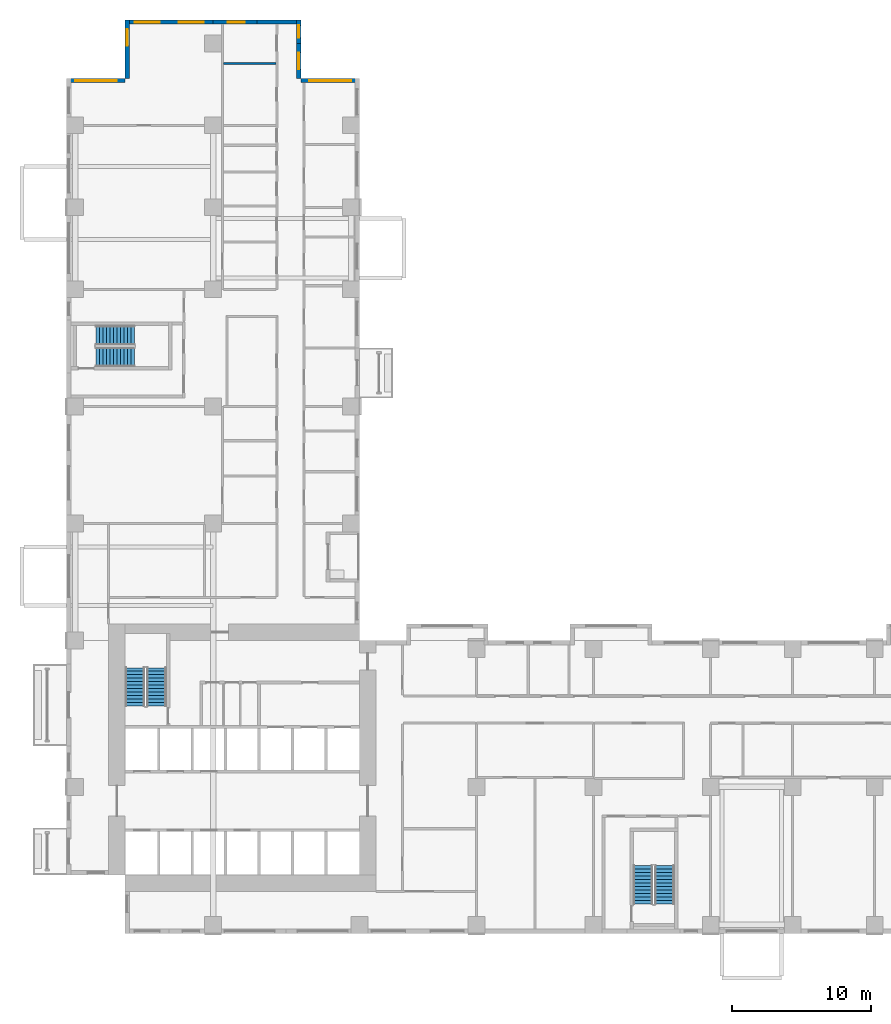
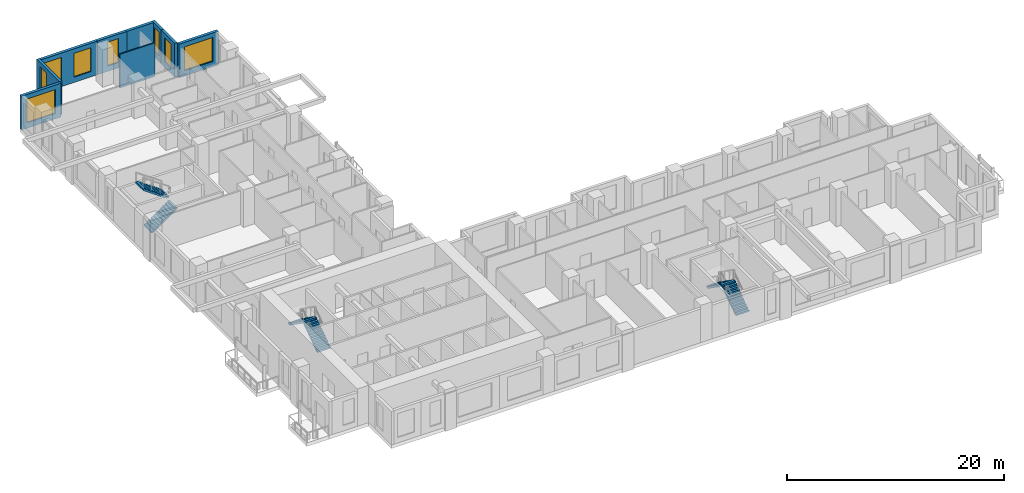
# One storey, part 9 of 14: 9 walls, 8 windows, 6 stair flights, 8 openings, 3 elements without a shape of their own.
"""IFC4 building model written with IfcOpenShell, lengths in metres."""

from ifc_helpers import new_model, si_unit, direction, frame, frame_2d, origin, place, context, subcontext, project, spatial, polyline, rectangle, outline, extrude, source, transform, mapped, material, layer, layer_set, type_object, element, fill, aggregate, save


model = new_model("IFC4")

# Units and contexts
model_context = context("Model", 3, precision=1e-05, world=origin(), true_north=direction((0.0, 1.0)))
body_context = subcontext(model_context, "Body", "Model", "MODEL_VIEW")
ifc_project = project(units=[si_unit("LENGTHUNIT", "METRE"), si_unit("AREAUNIT", "SQUARE_METRE"), si_unit("VOLUMEUNIT", "CUBIC_METRE"), si_unit("PLANEANGLEUNIT", "RADIAN"), si_unit("MASSUNIT", "GRAM", prefix="KILO")], contexts=[model_context])

# Site, building, storey
site_placement = place(None, origin())
site = spatial("IfcSite", under=ifc_project, at=site_placement, CompositionType="ELEMENT")
building_placement = place(site_placement, origin())
building = spatial("IfcBuilding", under=site, at=building_placement, Name="Aurelian Terraces", CompositionType="ELEMENT")
storey_placement = place(building_placement, frame((0.0, 0.0, 40.5)))
storey = spatial("IfcBuildingStorey", under=building, at=storey_placement, Name="L07", CompositionType="ELEMENT", Elevation=40.5)

# Wall
ifc_material_1 = material(Name="Terracotta rainscreen cladding", Category="masonry")
ifc_layer_1 = layer(ifc_material_1, 0.3)
ifc_layer_set_1 = layer_set([ifc_layer_1], Name="EW-300")
wall_type_1 = type_object("IfcWallType", Name="EW-300", PredefinedType="STANDARD", material=ifc_layer_set_1)
shared_shape_1 = source(origin(), body_context, "Body", "SweptSolid", [
    extrude(rectangle(XDim=3.15, YDim=0.3, at=frame_2d((1.575, 0.0))), origin(), (0.0, 0.0, 1.0), 3.8),
])
wall_1_placement = place(storey_placement, frame((16.8, 65.37, 0.0), z_axis=(0.0, 0.0, 1.0), x_axis=(-1.0, 0.0, 0.0)))
element("IfcWall", 1, at=wall_1_placement, inside=storey, type_object=wall_type_1, Name="External wall L07 F11.39", PredefinedType="STANDARD", context=body_context, shape_type="MappedRepresentation", body=[
    mapped(shared_shape_1, transform((0.0, 0.0, 0.0), scale=1.0)),
])

# Wall, opening, window
wall_2_placement = place(storey_placement, frame((13.65, 65.37, 0.0), z_axis=(0.0, 0.0, 1.0), x_axis=(-1.0, 0.0, 0.0)))
wall_2 = element("IfcWall", 2, at=wall_2_placement, inside=storey, type_object=wall_type_1, Name="External wall L07 F11.40", PredefinedType="STANDARD", context=body_context, shape_type="MappedRepresentation", body=[
    mapped(shared_shape_1, transform((0.0, 0.0, 0.0), scale=1.0)),
])
shared_shape_2 = source(origin(), body_context, "Body", "SweptSolid", [
    extrude(rectangle(XDim=1.2, YDim=2.7, at=frame_2d((0.6, 1.35))), frame((0.0, 0.16, 0.0), z_axis=(0.0, -1.0, 0.0), x_axis=(1.0, 0.0, 0.0)), (0.0, 0.0, 1.0), 0.32),
])
opening_1_placement = place(wall_2_placement, frame((0.8875, 0.0, 0.6)))
opening_1 = element("IfcOpeningElement", 3, at=opening_1_placement, cuts=wall_2, Name="Opening W1227", PredefinedType="OPENING", context=body_context, shape_type="MappedRepresentation", body=[
    mapped(shared_shape_2, transform((0.0, 0.0, 0.0), scale=1.0)),
])
ifc_material_2 = material(Name="Clear glazing", Category="glass")
window_type_1 = type_object("IfcWindowType", Name="W-1200x2700", PartitioningType="SINGLE_PANEL", PredefinedType="WINDOW", material=ifc_material_2)
shared_shape_3 = source(origin(), body_context, "Body", "SweptSolid", [
    extrude(rectangle(XDim=1.2, YDim=2.7, at=frame_2d((0.6, 1.35))), frame((0.0, 0.03, 0.0), z_axis=(0.0, -1.0, 0.0), x_axis=(1.0, 0.0, 0.0)), (0.0, 0.0, 1.0), 0.06),
])
window_1_placement = place(opening_1_placement, origin())
window_1 = element("IfcWindow", 4, at=window_1_placement, inside=storey, type_object=window_type_1, Name="Window L07 L07-F11-40-0", OverallHeight=2.7, OverallWidth=1.2, PartitioningType="SINGLE_PANEL", PredefinedType="WINDOW", context=body_context, shape_type="MappedRepresentation", body=[
    mapped(shared_shape_3, transform((0.0, 0.0, 0.0), scale=1.0)),
])
fill(opening_1, window_1)

shared_shape_4 = source(origin(), body_context, "Body", "SweptSolid", [
    extrude(rectangle(XDim=4.2, YDim=0.3, at=frame_2d((2.1, 0.0))), origin(), (0.0, 0.0, 1.0), 3.8),
])
wall_3_placement = place(storey_placement, frame((21.0, 61.17, 0.0), z_axis=(0.0, 0.0, 1.0), x_axis=(-1.0, 0.0, 0.0)))
wall_3 = element("IfcWall", 5, at=wall_3_placement, inside=storey, type_object=wall_type_1, Name="External wall L07 F09.36", PredefinedType="STANDARD", context=body_context, shape_type="MappedRepresentation", body=[
    mapped(shared_shape_4, transform((0.0, 0.0, 0.0), scale=1.0)),
])
shared_shape_5 = source(origin(), body_context, "Body", "SweptSolid", [
    extrude(rectangle(XDim=3.0, YDim=2.7, at=frame_2d((1.5, 1.35))), frame((0.0, 0.16, 0.0), z_axis=(0.0, -1.0, 0.0), x_axis=(1.0, 0.0, 0.0)), (0.0, 0.0, 1.0), 0.32),
])
opening_2_placement = place(wall_3_placement, frame((0.6, 0.0, 0.6)))
opening_2 = element("IfcOpeningElement", 6, at=opening_2_placement, cuts=wall_3, Name="Opening W3027", PredefinedType="OPENING", context=body_context, shape_type="MappedRepresentation", body=[
    mapped(shared_shape_5, transform((0.0, 0.0, 0.0), scale=1.0)),
])
window_type_2 = type_object("IfcWindowType", Name="W-3000x2700", PartitioningType="SINGLE_PANEL", PredefinedType="WINDOW", material=ifc_material_2)
shared_shape_6 = source(origin(), body_context, "Body", "SweptSolid", [
    extrude(rectangle(XDim=3.0, YDim=2.7, at=frame_2d((1.5, 1.35))), frame((0.0, 0.03, 0.0), z_axis=(0.0, -1.0, 0.0), x_axis=(1.0, 0.0, 0.0)), (0.0, 0.0, 1.0), 0.06),
])
window_2_placement = place(opening_2_placement, origin())
window_2 = element("IfcWindow", 7, at=window_2_placement, inside=storey, type_object=window_type_2, Name="Window L07 L07-F09-36-0", OverallHeight=2.7, OverallWidth=3.0, PartitioningType="SINGLE_PANEL", PredefinedType="WINDOW", context=body_context, shape_type="MappedRepresentation", body=[
    mapped(shared_shape_6, transform((0.0, 0.0, 0.0), scale=1.0)),
])
fill(opening_2, window_2)

wall_4_placement = place(storey_placement, frame((4.35, 65.52, 0.0), z_axis=(0.0, 0.0, 1.0), x_axis=(0.0, -1.0, 0.0)))
wall_4 = element("IfcWall", 8, at=wall_4_placement, inside=storey, type_object=wall_type_1, Name="External wall L07 F12.42", PredefinedType="STANDARD", context=body_context, shape_type="MappedRepresentation", body=[
    mapped(shared_shape_4, transform((0.0, 0.0, 0.0), scale=1.0)),
])
opening_3_placement = place(wall_4_placement, frame((0.66, 0.0, 0.6)))
opening_3 = element("IfcOpeningElement", 9, at=opening_3_placement, cuts=wall_4, Name="Opening W1227", PredefinedType="OPENING", context=body_context, shape_type="MappedRepresentation", body=[
    mapped(shared_shape_2, transform((0.0, 0.0, 0.0), scale=1.0)),
])
window_3_placement = place(opening_3_placement, origin())
window_3 = element("IfcWindow", 10, at=window_3_placement, inside=storey, type_object=window_type_1, Name="Window L07 L07-F12-42-0", OverallHeight=2.7, OverallWidth=1.2, PartitioningType="SINGLE_PANEL", PredefinedType="WINDOW", context=body_context, shape_type="MappedRepresentation", body=[
    mapped(shared_shape_3, transform((0.0, 0.0, 0.0), scale=1.0)),
])
fill(opening_3, window_3)

wall_5_placement = place(storey_placement, frame((4.2, 61.17, 0.0), z_axis=(0.0, 0.0, 1.0), x_axis=(-1.0, 0.0, 0.0)))
wall_5 = element("IfcWall", 11, at=wall_5_placement, inside=storey, type_object=wall_type_1, Name="External wall L07 F13.43", PredefinedType="STANDARD", context=body_context, shape_type="MappedRepresentation", body=[
    mapped(shared_shape_4, transform((0.0, 0.0, 0.0), scale=1.0)),
])
opening_4_placement = place(wall_5_placement, frame((0.6, 0.0, 0.6)))
opening_4 = element("IfcOpeningElement", 12, at=opening_4_placement, cuts=wall_5, Name="Opening W3027", PredefinedType="OPENING", context=body_context, shape_type="MappedRepresentation", body=[
    mapped(shared_shape_5, transform((0.0, 0.0, 0.0), scale=1.0)),
])
window_4_placement = place(opening_4_placement, origin())
window_4 = element("IfcWindow", 13, at=window_4_placement, inside=storey, type_object=window_type_2, Name="Window L07 L07-F13-43-0", OverallHeight=2.7, OverallWidth=3.0, PartitioningType="SINGLE_PANEL", PredefinedType="WINDOW", context=body_context, shape_type="MappedRepresentation", body=[
    mapped(shared_shape_6, transform((0.0, 0.0, 0.0), scale=1.0)),
])
fill(opening_4, window_4)

shared_shape_7 = source(origin(), body_context, "Body", "SweptSolid", [
    extrude(rectangle(XDim=2.52, YDim=0.3, at=frame_2d((1.26, 0.0))), origin(), (0.0, 0.0, 1.0), 3.8),
])
wall_6_placement = place(storey_placement, frame((16.65, 61.32, 0.0), z_axis=(0.0, 0.0, 1.0), x_axis=(0.0, 1.0, 0.0)))
wall_6 = element("IfcWall", 14, at=wall_6_placement, inside=storey, type_object=wall_type_1, Name="External wall L07 F10.37", PredefinedType="STANDARD", context=body_context, shape_type="MappedRepresentation", body=[
    mapped(shared_shape_7, transform((0.0, 0.0, 0.0), scale=1.0)),
])
opening_5_placement = place(wall_6_placement, frame((0.66, 0.0, 0.6)))
opening_5 = element("IfcOpeningElement", 15, at=opening_5_placement, cuts=wall_6, Name="Opening W1227", PredefinedType="OPENING", context=body_context, shape_type="MappedRepresentation", body=[
    mapped(shared_shape_2, transform((0.0, 0.0, 0.0), scale=1.0)),
])
window_5_placement = place(opening_5_placement, origin())
window_5 = element("IfcWindow", 16, at=window_5_placement, inside=storey, type_object=window_type_1, Name="Window L07 L07-F10-37-0", OverallHeight=2.7, OverallWidth=1.2, PartitioningType="SINGLE_PANEL", PredefinedType="WINDOW", context=body_context, shape_type="MappedRepresentation", body=[
    mapped(shared_shape_3, transform((0.0, 0.0, 0.0), scale=1.0)),
])
fill(opening_5, window_5)

shared_shape_8 = source(origin(), body_context, "Body", "SweptSolid", [
    extrude(rectangle(XDim=1.68, YDim=0.3, at=frame_2d((0.84, 0.0))), origin(), (0.0, 0.0, 1.0), 3.8),
])
wall_7_placement = place(storey_placement, frame((16.65, 63.84, 0.0), z_axis=(0.0, 0.0, 1.0), x_axis=(0.0, 1.0, 0.0)))
wall_7 = element("IfcWall", 17, at=wall_7_placement, inside=storey, type_object=wall_type_1, Name="External wall L07 F10.38", PredefinedType="STANDARD", context=body_context, shape_type="MappedRepresentation", body=[
    mapped(shared_shape_8, transform((0.0, 0.0, 0.0), scale=1.0)),
])
shared_shape_9 = source(origin(), body_context, "Body", "SweptSolid", [
    extrude(rectangle(XDim=0.9, YDim=2.7, at=frame_2d((0.45, 1.35))), frame((0.0, 0.16, 0.0), z_axis=(0.0, -1.0, 0.0), x_axis=(1.0, 0.0, 0.0)), (0.0, 0.0, 1.0), 0.32),
])
opening_6_placement = place(wall_7_placement, frame((0.39, 0.0, 0.6)))
opening_6 = element("IfcOpeningElement", 18, at=opening_6_placement, cuts=wall_7, Name="Opening W0927", PredefinedType="OPENING", context=body_context, shape_type="MappedRepresentation", body=[
    mapped(shared_shape_9, transform((0.0, 0.0, 0.0), scale=1.0)),
])
window_type_3 = type_object("IfcWindowType", Name="W-900x2700", PartitioningType="SINGLE_PANEL", PredefinedType="WINDOW", material=ifc_material_2)
shared_shape_10 = source(origin(), body_context, "Body", "SweptSolid", [
    extrude(rectangle(XDim=0.9, YDim=2.7, at=frame_2d((0.45, 1.35))), frame((0.0, 0.03, 0.0), z_axis=(0.0, -1.0, 0.0), x_axis=(1.0, 0.0, 0.0)), (0.0, 0.0, 1.0), 0.06),
])
window_6_placement = place(opening_6_placement, origin())
window_6 = element("IfcWindow", 19, at=window_6_placement, inside=storey, type_object=window_type_3, Name="Window L07 L07-F10-38-P0", OverallHeight=2.7, OverallWidth=0.9, PartitioningType="SINGLE_PANEL", PredefinedType="WINDOW", context=body_context, shape_type="MappedRepresentation", body=[
    mapped(shared_shape_10, transform((0.0, 0.0, 0.0), scale=1.0)),
])
fill(opening_6, window_6)

# Wall, openings, windows
shared_shape_11 = source(origin(), body_context, "Body", "SweptSolid", [
    extrude(rectangle(XDim=6.3, YDim=0.3, at=frame_2d((3.15, 0.0))), origin(), (0.0, 0.0, 1.0), 3.8),
])
wall_8_placement = place(storey_placement, frame((10.5, 65.37, 0.0), z_axis=(0.0, 0.0, 1.0), x_axis=(-1.0, 0.0, 0.0)))
wall_8 = element("IfcWall", 20, at=wall_8_placement, inside=storey, type_object=wall_type_1, Name="External wall L07 F11.41", PredefinedType="STANDARD", context=body_context, shape_type="MappedRepresentation", body=[
    mapped(shared_shape_11, transform((0.0, 0.0, 0.0), scale=1.0)),
])
shared_shape_12 = source(origin(), body_context, "Body", "SweptSolid", [
    extrude(rectangle(XDim=1.8, YDim=2.7, at=frame_2d((0.9, 1.35))), frame((0.0, 0.16, 0.0), z_axis=(0.0, -1.0, 0.0), x_axis=(1.0, 0.0, 0.0)), (0.0, 0.0, 1.0), 0.32),
])
opening_7_placement = place(wall_8_placement, frame((0.675, 0.0, 0.6)))
opening_7 = element("IfcOpeningElement", 21, at=opening_7_placement, cuts=wall_8, Name="Opening W1827", PredefinedType="OPENING", context=body_context, shape_type="MappedRepresentation", body=[
    mapped(shared_shape_12, transform((0.0, 0.0, 0.0), scale=1.0)),
])
opening_8_placement = place(wall_8_placement, frame((3.825, 0.0, 0.6)))
opening_8 = element("IfcOpeningElement", 22, at=opening_8_placement, cuts=wall_8, Name="Opening W1827", PredefinedType="OPENING", context=body_context, shape_type="MappedRepresentation", body=[
    mapped(shared_shape_12, transform((0.0, 0.0, 0.0), scale=1.0)),
])
window_type_4 = type_object("IfcWindowType", Name="W-1800x2700", PartitioningType="SINGLE_PANEL", PredefinedType="WINDOW", material=ifc_material_2)
shared_shape_13 = source(origin(), body_context, "Body", "SweptSolid", [
    extrude(rectangle(XDim=1.8, YDim=2.7, at=frame_2d((0.9, 1.35))), frame((0.0, 0.03, 0.0), z_axis=(0.0, -1.0, 0.0), x_axis=(1.0, 0.0, 0.0)), (0.0, 0.0, 1.0), 0.06),
])
window_7_placement = place(opening_7_placement, origin())
window_7 = element("IfcWindow", 23, at=window_7_placement, inside=storey, type_object=window_type_4, Name="Window L07 L07-F11-41-0", OverallHeight=2.7, OverallWidth=1.8, PartitioningType="SINGLE_PANEL", PredefinedType="WINDOW", context=body_context, shape_type="MappedRepresentation", body=[
    mapped(shared_shape_13, transform((0.0, 0.0, 0.0), scale=1.0)),
])
fill(opening_7, window_7)
window_8_placement = place(opening_8_placement, origin())
window_8 = element("IfcWindow", 24, at=window_8_placement, inside=storey, type_object=window_type_4, Name="Window L07 L07-F11-41-1", OverallHeight=2.7, OverallWidth=1.8, PartitioningType="SINGLE_PANEL", PredefinedType="WINDOW", context=body_context, shape_type="MappedRepresentation", body=[
    mapped(shared_shape_13, transform((0.0, 0.0, 0.0), scale=1.0)),
])
fill(opening_8, window_8)

# Wall
ifc_material_3 = material(Name="Gypsum board on steel studs", Category="steel")
ifc_layer_2 = layer(ifc_material_3, 0.15)
ifc_layer_set_2 = layer_set([ifc_layer_2], Name="Partition 150")
wall_type_2 = type_object("IfcWallType", Name="Partition 150", PredefinedType="PARTITIONING", material=ifc_layer_set_2)
shared_shape_14 = source(origin(), body_context, "Body", "SweptSolid", [
    extrude(rectangle(XDim=3.75, YDim=0.15, at=frame_2d((1.875, 0.0))), origin(), (0.0, 0.0, 1.0), 3.8),
])
wall_9_placement = place(storey_placement, frame((15.0, 62.3987, 0.0), z_axis=(0.0, 0.0, 1.0), x_axis=(-1.0, 0.0, 0.0)))
element("IfcWall", 25, at=wall_9_placement, inside=storey, type_object=wall_type_2, Name="Partition", PredefinedType="PARTITIONING", context=body_context, shape_type="MappedRepresentation", body=[
    mapped(shared_shape_14, transform((0.0, 0.0, 0.0), scale=1.0)),
])

# Stair, stair flights
ifc_material_4 = material(Name="Concrete fc' 40 MPa", Category="concrete")
stair_type = type_object("IfcStairType", Name="Stair 1400", PredefinedType="HALF_TURN_STAIR", material=ifc_material_4)
stair_1_placement = place(storey_placement, origin())
stair_1 = element("IfcStair", 26, at=stair_1_placement, inside=storey, type_object=stair_type, Name="L07 S1", PredefinedType="HALF_TURN_STAIR")
stair_flight_type = type_object("IfcStairFlightType", Name="Stair flight 1400", PredefinedType="STRAIGHT", material=ifc_material_4)
stair_flight_1_placement = place(storey_placement, frame((6.45, 16.3, 2e-08), z_axis=(0.0, 0.0, 1.0), x_axis=(0.0, 1.0, 0.0)))
stair_flight_1 = element("IfcStairFlight", 27, at=stair_flight_1_placement, type_object=stair_flight_type, Name="S1 flight 1", NumberOfRisers=12, NumberOfTreads=11, PredefinedType="STRAIGHT", RiserHeight=0.175, TreadLength=0.25, context=body_context, shape_type="SweptSolid", body=[
    extrude(outline(polyline([(0.0, 0.0), (0.0, 0.175), (0.25, 0.175), (0.25, 0.35), (0.5, 0.35), (0.5, 0.525), (0.75, 0.525), (0.75, 0.7), (1.0, 0.7), (1.0, 0.875), (1.25, 0.875), (1.25, 1.05), (1.5, 1.05), (1.5, 1.225), (1.75, 1.225), (1.75, 1.4), (2.0, 1.4), (2.0, 1.575), (2.25, 1.575), (2.25, 1.75), (2.5, 1.75), (2.5, 1.925), (2.75, 1.925), (2.75, 2.1), (2.75, 1.7419), (0.2616, 0.0), (0.0, 0.0)])), frame((0.0, 0.7, 0.0), z_axis=(0.0, -1.0, 0.0), x_axis=(1.0, 0.0, 0.0)), (0.0, 0.0, 1.0), 1.4),
])
shared_shape_15 = source(origin(), body_context, "Body", "SweptSolid", [
    extrude(outline(polyline([(0.0, 0.0), (0.0, 0.175), (0.25, 0.175), (0.25, 0.35), (0.5, 0.35), (0.5, 0.525), (0.75, 0.525), (0.75, 0.7), (1.0, 0.7), (1.0, 0.875), (1.25, 0.875), (1.25, 1.05), (1.5, 1.05), (1.5, 1.225), (1.75, 1.225), (1.75, 1.4), (2.0, 1.4), (2.0, 1.575), (2.25, 1.575), (2.25, 1.75), (2.5, 1.75), (2.5, 1.925), (2.75, 1.925), (2.75, 2.1), (2.75, 1.7419), (0.2616, 0.0), (0.0, 0.0)])), frame((0.0, 0.7, 0.0), z_axis=(0.0, -1.0, 0.0), x_axis=(1.0, 0.0, 0.0)), (0.0, 0.0, 1.0), 1.4),
])
stair_flight_2_placement = place(storey_placement, frame((4.9, 19.05, 2.1000000200000013), z_axis=(0.0, 0.0, 1.0), x_axis=(0.0, -1.0, 0.0)))
stair_flight_2 = element("IfcStairFlight", 28, at=stair_flight_2_placement, type_object=stair_flight_type, Name="S1 flight 2", NumberOfRisers=12, NumberOfTreads=11, PredefinedType="STRAIGHT", RiserHeight=0.175, TreadLength=0.25, context=body_context, shape_type="MappedRepresentation", body=[
    mapped(shared_shape_15, transform((0.0, 0.0, 0.0), scale=1.0)),
])
aggregate(stair_1, [stair_flight_1, stair_flight_2])

stair_2_placement = place(storey_placement, origin())
stair_2 = element("IfcStair", 29, at=stair_2_placement, inside=storey, type_object=stair_type, Name="L07 S2", PredefinedType="HALF_TURN_STAIR")
stair_flight_3_placement = place(storey_placement, frame((42.9, 2.1, 2e-08), z_axis=(0.0, 0.0, 1.0), x_axis=(0.0, 1.0, 0.0)))
stair_flight_3 = element("IfcStairFlight", 30, at=stair_flight_3_placement, type_object=stair_flight_type, Name="S2 flight 1", NumberOfRisers=12, NumberOfTreads=11, PredefinedType="STRAIGHT", RiserHeight=0.175, TreadLength=0.25, context=body_context, shape_type="MappedRepresentation", body=[
    mapped(shared_shape_15, transform((0.0, 0.0, 0.0), scale=1.0)),
])
stair_flight_4_placement = place(storey_placement, frame((41.35, 4.85, 2.1000000200000013), z_axis=(0.0, 0.0, 1.0), x_axis=(0.0, -1.0, 0.0)))
stair_flight_4 = element("IfcStairFlight", 31, at=stair_flight_4_placement, type_object=stair_flight_type, Name="S2 flight 2", NumberOfRisers=12, NumberOfTreads=11, PredefinedType="STRAIGHT", RiserHeight=0.175, TreadLength=0.25, context=body_context, shape_type="MappedRepresentation", body=[
    mapped(shared_shape_15, transform((0.0, 0.0, 0.0), scale=1.0)),
])
aggregate(stair_2, [stair_flight_3, stair_flight_4])

stair_3_placement = place(storey_placement, origin())
stair_3 = element("IfcStair", 32, at=stair_3_placement, inside=storey, type_object=stair_type, Name="L07 S3", PredefinedType="HALF_TURN_STAIR")
stair_flight_5_placement = place(storey_placement, frame((2.1, 41.35, 2e-08), z_axis=(0.0, 0.0, 1.0), x_axis=(1.0, 0.0, 0.0)))
stair_flight_5 = element("IfcStairFlight", 33, at=stair_flight_5_placement, type_object=stair_flight_type, Name="S3 flight 1", NumberOfRisers=12, NumberOfTreads=11, PredefinedType="STRAIGHT", RiserHeight=0.175, TreadLength=0.25, context=body_context, shape_type="MappedRepresentation", body=[
    mapped(shared_shape_15, transform((0.0, 0.0, 0.0), scale=1.0)),
])
stair_flight_6_placement = place(storey_placement, frame((4.85, 42.9, 2.1000000200000013), z_axis=(0.0, 0.0, 1.0), x_axis=(-1.0, 0.0, 0.0)))
stair_flight_6 = element("IfcStairFlight", 34, at=stair_flight_6_placement, type_object=stair_flight_type, Name="S3 flight 2", NumberOfRisers=12, NumberOfTreads=11, PredefinedType="STRAIGHT", RiserHeight=0.175, TreadLength=0.25, context=body_context, shape_type="MappedRepresentation", body=[
    mapped(shared_shape_15, transform((0.0, 0.0, 0.0), scale=1.0)),
])
aggregate(stair_3, [stair_flight_5, stair_flight_6])

save(model, "model.ifc")
